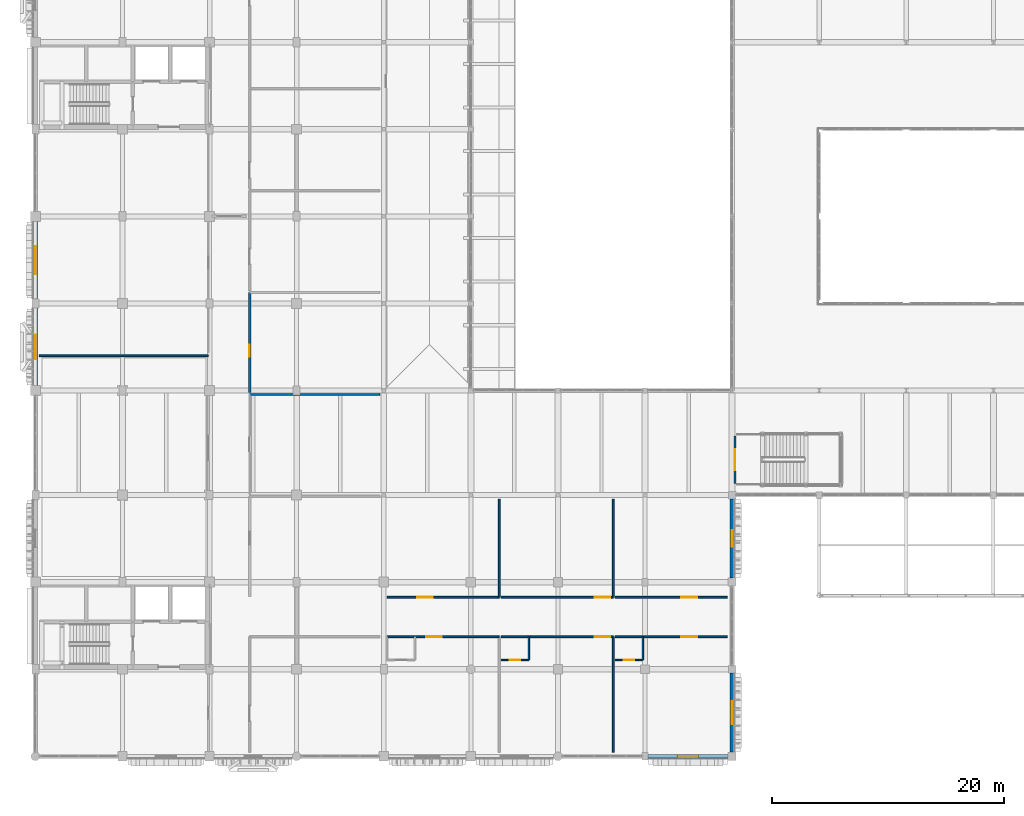
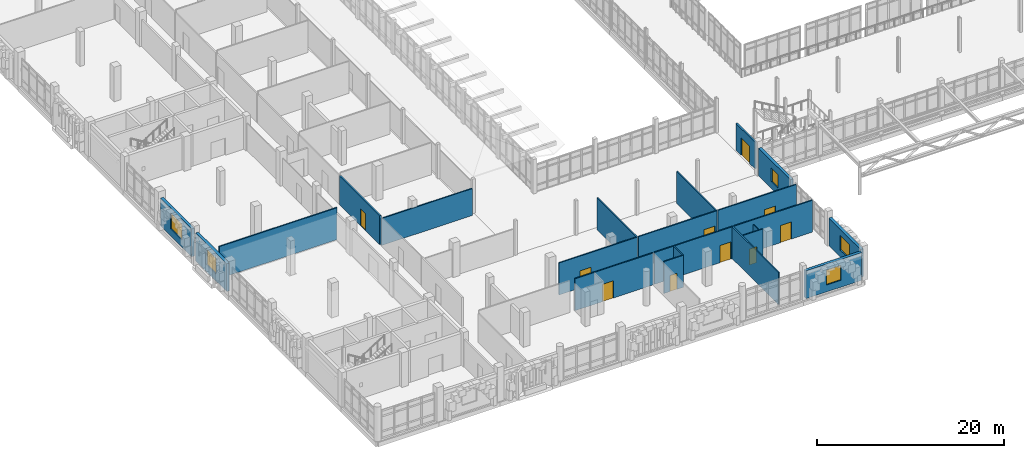
# One storey, part 96 of 128: 22 walls, 10 doors, 5 windows, 15 openings.
"""IFC4 building model written with IfcOpenShell, lengths in metres."""

from ifc_helpers import new_model, si_unit, direction, frame, frame_2d, origin, place, context, subcontext, project, spatial, rectangle, extrude, material, layer, layer_set, type_object, element, fill, save


model = new_model("IFC4")

# Units and contexts
model_context = context("Model", 3, precision=1e-05, world=origin(), true_north=direction((0.0, 1.0)))
body_context = subcontext(model_context, "Body", "Model", "MODEL_VIEW")
ifc_project = project(units=[si_unit("LENGTHUNIT", "METRE"), si_unit("AREAUNIT", "SQUARE_METRE"), si_unit("VOLUMEUNIT", "CUBIC_METRE"), si_unit("PLANEANGLEUNIT", "RADIAN"), si_unit("MASSUNIT", "GRAM", prefix="KILO")], contexts=[model_context])

# Site, building, storey
site_placement = place(None, origin())
site = spatial("IfcSite", under=ifc_project, at=site_placement, CompositionType="ELEMENT")
building_placement = place(site_placement, origin())
building = spatial("IfcBuilding", under=site, at=building_placement, Name="Dalvernix Boulevard General Hospital", CompositionType="ELEMENT")
storey_placement = place(building_placement, frame((0.0, 0.0, 4.800048828125)))
storey = spatial("IfcBuildingStorey", under=building, at=storey_placement, Name="L01", CompositionType="ELEMENT", Elevation=4.800048828125)

# Wall, opening, window
ifc_material_1 = material(Name="Pressed Catalan clay brick and insulated concrete cavity wall C35/45", Category="masonry")
ifc_layer_1 = layer(ifc_material_1, 0.35009765625)
ifc_layer_set_1 = layer_set([ifc_layer_1], Name="Pressed Catalan clay brick and insulated concrete cavity wall C35/45 (WAL-EW-01)")
wall_type_1 = type_object("IfcWallType", Name="WAL-EW-01", PredefinedType="STANDARD", material=ifc_layer_set_1)
wall_1_placement = place(storey_placement, frame((0.0, 31.93505859375, 0.0), z_axis=(0.0, 0.0, 1.0), x_axis=(0.0, 1.0, 0.0)))
wall_1 = element("IfcWall", 1, at=wall_1_placement, inside=storey, type_object=wall_type_1, Name="L01 Catalan brick external wall W 0-4", PredefinedType="STANDARD", context=body_context, shape_type="SweptSolid", body=[
    extrude(rectangle(XDim=6.655029296875, YDim=0.35009765625, at=frame_2d((3.32763671875, 0.0))), origin(), (0.0, 0.0, 1.0), 3.6298828125),
])
opening_1_placement = place(wall_1_placement, frame((2.277587890625, 0.0, 0.89990234375)))
opening_1 = element("IfcOpeningElement", 2, at=opening_1_placement, cuts=wall_1, Name="Opening WN-08", PredefinedType="OPENING", context=body_context, shape_type="SweptSolid", body=[
    extrude(rectangle(XDim=2.10009765625, YDim=2.10009765625, at=frame_2d((1.050048828125, 1.050048828125))), frame((0.0, 0.18505859375, 0.0), z_axis=(0.0, -1.0, 0.0), x_axis=(1.0, 0.0, 0.0)), (0.0, 0.0, 1.0), 0.3701171875),
])
ifc_material_2 = material(Name="Thermally broken aluminium frame with solar-control double glazing", Category="aluminium")
window_type_1 = type_object("IfcWindowType", Name="WIN-WN-08", PartitioningType="SINGLE_PANEL", PredefinedType="WINDOW", material=ifc_material_2)
window_1_placement = place(opening_1_placement, origin())
window_1 = element("IfcWindow", 3, at=window_1_placement, inside=storey, type_object=window_type_1, Name="L01 clinical window WN-08 W 0-4", OverallHeight=2.10009765625, OverallWidth=2.10009765625, PartitioningType="SINGLE_PANEL", PredefinedType="WINDOW", context=body_context, shape_type="SweptSolid", body=[
    extrude(rectangle(XDim=2.10009765625, YDim=2.10009765625, at=frame_2d((1.050048828125, 1.050048828125))), frame((0.0, 0.030029296875, 0.0), z_axis=(0.0, -1.0, 0.0), x_axis=(1.0, 0.0, 0.0)), (0.0, 0.0, 1.0), 0.06005859375),
])
fill(opening_1, window_1)

wall_2_placement = place(storey_placement, frame((0.0, 39.409912109375, 0.0), z_axis=(0.0, 0.0, 1.0), x_axis=(0.0, 1.0, 0.0)))
wall_2 = element("IfcWall", 4, at=wall_2_placement, inside=storey, type_object=wall_type_1, Name="L01 Catalan brick external wall W 0-5", PredefinedType="STANDARD", context=body_context, shape_type="SweptSolid", body=[
    extrude(rectangle(XDim=6.655029296875, YDim=0.35009765625, at=frame_2d((3.32763671875, 0.0))), origin(), (0.0, 0.0, 1.0), 3.6298828125),
])
opening_2_placement = place(wall_2_placement, frame((2.12744140625, 0.0, 0.89990234375)))
opening_2 = element("IfcOpeningElement", 5, at=opening_2_placement, cuts=wall_2, Name="Opening WN-09", PredefinedType="OPENING", context=body_context, shape_type="SweptSolid", body=[
    extrude(rectangle(XDim=2.39990234375, YDim=2.10009765625, at=frame_2d((1.199951171875, 1.050048828125))), frame((0.0, 0.18505859375, 0.0), z_axis=(0.0, -1.0, 0.0), x_axis=(1.0, 0.0, 0.0)), (0.0, 0.0, 1.0), 0.3701171875),
])
window_type_2 = type_object("IfcWindowType", Name="WIN-WN-09", PartitioningType="SINGLE_PANEL", PredefinedType="WINDOW", material=ifc_material_2)
window_2_placement = place(opening_2_placement, origin())
window_2 = element("IfcWindow", 6, at=window_2_placement, inside=storey, type_object=window_type_2, Name="L01 clinical window WN-09 W 0-5", OverallHeight=2.10009765625, OverallWidth=2.39990234375, PartitioningType="SINGLE_PANEL", PredefinedType="WINDOW", context=body_context, shape_type="SweptSolid", body=[
    extrude(rectangle(XDim=2.39990234375, YDim=2.10009765625, at=frame_2d((1.199951171875, 1.050048828125))), frame((0.0, 0.030029296875, 0.0), z_axis=(0.0, -1.0, 0.0), x_axis=(1.0, 0.0, 0.0)), (0.0, 0.0, 1.0), 0.06005859375),
])
fill(opening_2, window_2)

wall_3_placement = place(storey_placement, frame((59.639892578125, 0.0, 0.0), z_axis=(0.0, 0.0, 1.0), x_axis=(-1.0, 0.0, 0.0)))
wall_3 = element("IfcWall", 7, at=wall_3_placement, inside=storey, type_object=wall_type_1, Name="L01 Catalan brick external wall S 7-0", PredefinedType="STANDARD", context=body_context, shape_type="SweptSolid", body=[
    extrude(rectangle(XDim=6.8798828125, YDim=0.35009765625, at=frame_2d((3.43994140625, 0.0))), origin(), (0.0, 0.0, 1.0), 3.6298828125),
])
opening_3_placement = place(wall_3_placement, frame((2.5400390625, 0.0, 0.89990234375)))
opening_3 = element("IfcOpeningElement", 8, at=opening_3_placement, cuts=wall_3, Name="Opening WN-11", PredefinedType="OPENING", context=body_context, shape_type="SweptSolid", body=[
    extrude(rectangle(XDim=1.800048828125, YDim=1.949951171875, at=frame_2d((0.89990234375, 0.97509765625))), frame((0.0, 0.18505859375, 0.0), z_axis=(0.0, -1.0, 0.0), x_axis=(1.0, 0.0, 0.0)), (0.0, 0.0, 1.0), 0.3701171875),
])
window_type_3 = type_object("IfcWindowType", Name="WIN-WN-11", PartitioningType="SINGLE_PANEL", PredefinedType="WINDOW", material=ifc_material_2)
window_3_placement = place(opening_3_placement, origin())
window_3 = element("IfcWindow", 9, at=window_3_placement, inside=storey, type_object=window_type_3, Name="L01 clinical window WN-11 S 7-0", OverallHeight=1.949951171875, OverallWidth=1.800048828125, PartitioningType="SINGLE_PANEL", PredefinedType="WINDOW", context=body_context, shape_type="SweptSolid", body=[
    extrude(rectangle(XDim=1.800048828125, YDim=1.949951171875, at=frame_2d((0.89990234375, 0.97509765625))), frame((0.0, 0.030029296875, 0.0), z_axis=(0.0, -1.0, 0.0), x_axis=(1.0, 0.0, 0.0)), (0.0, 0.0, 1.0), 0.06005859375),
])
fill(opening_3, window_3)

wall_4_placement = place(storey_placement, frame((60.0, 7.1650390625, 0.0), z_axis=(0.0, 0.0, 1.0), x_axis=(0.0, -1.0, 0.0)))
wall_4 = element("IfcWall", 10, at=wall_4_placement, inside=storey, type_object=wall_type_1, Name="L01 Catalan brick external wall E 8-0", PredefinedType="STANDARD", context=body_context, shape_type="SweptSolid", body=[
    extrude(rectangle(XDim=6.804931640625, YDim=0.35009765625, at=frame_2d((3.40234375, 0.0))), origin(), (0.0, 0.0, 1.0), 3.6298828125),
])
opening_4_placement = place(wall_4_placement, frame((2.402587890625, 0.0, 0.89990234375)))
opening_4 = element("IfcOpeningElement", 11, at=opening_4_placement, cuts=wall_4, Name="Opening WN-12", PredefinedType="OPENING", context=body_context, shape_type="SweptSolid", body=[
    extrude(rectangle(XDim=2.0, YDim=1.949951171875, at=frame_2d((1.0, 0.97509765625))), frame((0.0, 0.18505859375, 0.0), z_axis=(0.0, -1.0, 0.0), x_axis=(1.0, 0.0, 0.0)), (0.0, 0.0, 1.0), 0.3701171875),
])
window_type_4 = type_object("IfcWindowType", Name="WIN-WN-12", PartitioningType="SINGLE_PANEL", PredefinedType="WINDOW", material=ifc_material_2)
window_4_placement = place(opening_4_placement, origin())
window_4 = element("IfcWindow", 12, at=window_4_placement, inside=storey, type_object=window_type_4, Name="L01 clinical window WN-12 E 8-0", OverallHeight=1.949951171875, OverallWidth=2.0, PartitioningType="SINGLE_PANEL", PredefinedType="WINDOW", context=body_context, shape_type="SweptSolid", body=[
    extrude(rectangle(XDim=2.0, YDim=1.949951171875, at=frame_2d((1.0, 0.97509765625))), frame((0.0, 0.030029296875, 0.0), z_axis=(0.0, -1.0, 0.0), x_axis=(1.0, 0.0, 0.0)), (0.0, 0.0, 1.0), 0.06005859375),
])
fill(opening_4, window_4)

wall_5_placement = place(storey_placement, frame((60.0, 22.1650390625, 0.0), z_axis=(0.0, 0.0, 1.0), x_axis=(0.0, -1.0, 0.0)))
wall_5 = element("IfcWall", 13, at=wall_5_placement, inside=storey, type_object=wall_type_1, Name="L01 Catalan brick external wall E 8-2", PredefinedType="STANDARD", context=body_context, shape_type="SweptSolid", body=[
    extrude(rectangle(XDim=6.804931640625, YDim=0.35009765625, at=frame_2d((3.40234375, 0.0))), origin(), (0.0, 0.0, 1.0), 3.6298828125),
])
opening_5_placement = place(wall_5_placement, frame((2.702392578125, 0.0, 0.89990234375)))
opening_5 = element("IfcOpeningElement", 14, at=opening_5_placement, cuts=wall_5, Name="Opening WN-14", PredefinedType="OPENING", context=body_context, shape_type="SweptSolid", body=[
    extrude(rectangle(XDim=1.39990234375, YDim=1.800048828125, at=frame_2d((0.699951171875, 0.89990234375))), frame((0.0, 0.18505859375, 0.0), z_axis=(0.0, -1.0, 0.0), x_axis=(1.0, 0.0, 0.0)), (0.0, 0.0, 1.0), 0.3701171875),
])
window_type_5 = type_object("IfcWindowType", Name="WIN-WN-14", PartitioningType="SINGLE_PANEL", PredefinedType="WINDOW", material=ifc_material_2)
window_5_placement = place(opening_5_placement, origin())
window_5 = element("IfcWindow", 15, at=window_5_placement, inside=storey, type_object=window_type_5, Name="L01 clinical window WN-14 E 8-2", OverallHeight=1.800048828125, OverallWidth=1.39990234375, PartitioningType="SINGLE_PANEL", PredefinedType="WINDOW", context=body_context, shape_type="SweptSolid", body=[
    extrude(rectangle(XDim=1.39990234375, YDim=1.800048828125, at=frame_2d((0.699951171875, 0.89990234375))), frame((0.0, 0.030029296875, 0.0), z_axis=(0.0, -1.0, 0.0), x_axis=(1.0, 0.0, 0.0)), (0.0, 0.0, 1.0), 0.06005859375),
])
fill(opening_5, window_5)

# Wall, opening, door
ifc_material_3 = material(Name="Fire-compartment corridor masonry wall", Category="masonry")
ifc_layer_2 = layer(ifc_material_3, 0.199951171875)
ifc_layer_set_2 = layer_set([ifc_layer_2], Name="Fire-compartment corridor masonry wall (WAL-IW-02)")
wall_type_2 = type_object("IfcWallType", Name="WAL-IW-02", PredefinedType="STANDARD", material=ifc_layer_set_2)
wall_6_placement = place(storey_placement, frame((60.25, 23.5, 0.0), z_axis=(0.0, 0.0, 1.0), x_axis=(0.0, 1.0, 0.0)))
wall_6 = element("IfcWall", 16, at=wall_6_placement, inside=storey, type_object=wall_type_2, Name="L01 Stair ST-07 vestibule fire screen", PredefinedType="STANDARD", context=body_context, shape_type="SweptSolid", body=[
    extrude(rectangle(XDim=4.10009765625, YDim=0.199951171875, at=frame_2d((2.050048828125, 0.0))), origin(), (0.0, 0.0, 1.0), 3.46484375),
])
opening_6_placement = place(wall_6_placement, frame((1.14990234375, 0.0, 0.0)))
opening_6 = element("IfcOpeningElement", 17, at=opening_6_placement, cuts=wall_6, Name="Opening FD-01", PredefinedType="OPENING", context=body_context, shape_type="SweptSolid", body=[
    extrude(rectangle(XDim=1.800048828125, YDim=2.25, at=frame_2d((0.89990234375, 1.125))), frame((0.0, 0.10986328125, 0.0), z_axis=(0.0, -1.0, 0.0), x_axis=(1.0, 0.0, 0.0)), (0.0, 0.0, 1.0), 0.219970703125),
])
ifc_material_4 = material(Name="Hospital laminate acoustic timber and steel frame", Category="steel")
door_type_1 = type_object("IfcDoorType", Name="DR-FD-01", OperationType="DOUBLE_DOOR_SINGLE_SWING", PredefinedType="DOOR", material=ifc_material_4)
door_1_placement = place(opening_6_placement, origin())
door_1 = element("IfcDoor", 18, at=door_1_placement, inside=storey, type_object=door_type_1, Name="L01 Stair ST-07 vestibule double fire door", OperationType="DOUBLE_DOOR_SINGLE_SWING", OverallHeight=2.25, OverallWidth=1.800048828125, PredefinedType="DOOR", context=body_context, shape_type="SweptSolid", body=[
    extrude(rectangle(XDim=1.800048828125, YDim=2.25, at=frame_2d((0.89990234375, 1.125))), frame((0.0, 0.02490234375, 0.0), z_axis=(0.0, -1.0, 0.0), x_axis=(1.0, 0.0, 0.0)), (0.0, 0.0, 1.0), 0.050048828125),
])
fill(opening_6, door_1)

wall_7_placement = place(storey_placement, frame((18.449951171875, 39.936767578125, 0.0), z_axis=(0.0, 0.0, 1.0), x_axis=(0.0, -1.0, 0.0)))
wall_7 = element("IfcWall", 19, at=wall_7_placement, inside=storey, type_object=wall_type_2, Name="L01 Patient and Family Day Lounge L01 corridor wall", PredefinedType="STANDARD", context=body_context, shape_type="SweptSolid", body=[
    extrude(rectangle(XDim=8.6123046875, YDim=0.199951171875, at=frame_2d((4.30615234375, 0.0))), origin(), (0.0, 0.0, 1.0), 3.764892578125),
])
opening_7_placement = place(wall_7_placement, frame((4.4873046875, 0.0, 0.0)))
opening_7 = element("IfcOpeningElement", 20, at=opening_7_placement, cuts=wall_7, Name="Opening ID-07", PredefinedType="OPENING", context=body_context, shape_type="SweptSolid", body=[
    extrude(rectangle(XDim=1.050048828125, YDim=2.199951171875, at=frame_2d((0.52490234375, 1.10009765625))), frame((0.0, 0.10986328125, 0.0), z_axis=(0.0, -1.0, 0.0), x_axis=(1.0, 0.0, 0.0)), (0.0, 0.0, 1.0), 0.219970703125),
])
door_type_2 = type_object("IfcDoorType", Name="DR-ID-07", OperationType="NOTDEFINED", PredefinedType="DOOR", material=ifc_material_4)
door_2_placement = place(opening_7_placement, origin())
door_2 = element("IfcDoor", 21, at=door_2_placement, inside=storey, type_object=door_type_2, Name="L01 Patient and Family Day Lounge L01 door", OperationType="SINGLE_SWING_RIGHT", OverallHeight=2.199951171875, OverallWidth=1.050048828125, PredefinedType="DOOR", context=body_context, shape_type="SweptSolid", body=[
    extrude(rectangle(XDim=1.050048828125, YDim=2.199951171875, at=frame_2d((0.52490234375, 1.10009765625))), frame((0.0, 0.02490234375, 0.0), z_axis=(0.0, -1.0, 0.0), x_axis=(1.0, 0.0, 0.0)), (0.0, 0.0, 1.0), 0.050048828125),
])
fill(opening_7, door_2)

ifc_material_5 = material(Name="Acoustic double-stud gypsum inpatient partition")
ifc_layer_3 = layer(ifc_material_5, 0.14990234375)
ifc_layer_set_3 = layer_set([ifc_layer_3], Name="Acoustic double-stud gypsum inpatient partition (WAL-IW-04)")
wall_type_3 = type_object("IfcWallType", Name="WAL-IW-04", PredefinedType="PARTITIONING", material=ifc_layer_set_3)
wall_8_placement = place(storey_placement, frame((39.936767578125, 10.300048828125, 0.0), z_axis=(0.0, 0.0, 1.0), x_axis=(-1.0, 0.0, 0.0)))
wall_8 = element("IfcWall", 22, at=wall_8_placement, inside=storey, type_object=wall_type_3, Name="L01 Inpatient Ward Suite L01-S1 corridor wall", PredefinedType="PARTITIONING", context=body_context, shape_type="SweptSolid", body=[
    extrude(rectangle(XDim=9.65673828125, YDim=0.14990234375, at=frame_2d((4.828369140625, 0.0))), origin(), (0.0, 0.0, 1.0), 4.1650390625),
])
opening_8_placement = place(wall_8_placement, frame((4.93408203125, 0.0, 0.0)))
opening_8 = element("IfcOpeningElement", 23, at=opening_8_placement, cuts=wall_8, Name="Opening ID-01", PredefinedType="OPENING", context=body_context, shape_type="SweptSolid", body=[
    extrude(rectangle(XDim=1.35009765625, YDim=2.25, at=frame_2d((0.675048828125, 1.125))), frame((0.0, 0.0849609375, 0.0), z_axis=(0.0, -1.0, 0.0), x_axis=(1.0, 0.0, 0.0)), (0.0, 0.0, 1.0), 0.169921875),
])
door_type_3 = type_object("IfcDoorType", Name="DR-ID-01", OperationType="NOTDEFINED", PredefinedType="DOOR", material=ifc_material_4)
door_3_placement = place(opening_8_placement, origin())
door_3 = element("IfcDoor", 24, at=door_3_placement, inside=storey, type_object=door_type_3, Name="L01 Inpatient Ward Suite L01-S1 door", OperationType="SINGLE_SWING_LEFT", OverallHeight=2.25, OverallWidth=1.35009765625, PredefinedType="DOOR", context=body_context, shape_type="SweptSolid", body=[
    extrude(rectangle(XDim=1.35009765625, YDim=2.25, at=frame_2d((0.675048828125, 1.125))), frame((0.0, 0.02490234375, 0.0), z_axis=(0.0, -1.0, 0.0), x_axis=(1.0, 0.0, 0.0)), (0.0, 0.0, 1.0), 0.050048828125),
])
fill(opening_8, door_3)

wall_9_placement = place(storey_placement, frame((30.280029296875, 13.699951171875, 0.0), z_axis=(0.0, 0.0, 1.0), x_axis=(1.0, 0.0, 0.0)))
wall_9 = element("IfcWall", 25, at=wall_9_placement, inside=storey, type_object=wall_type_3, Name="L01 Specialty Clinic L01-N1 corridor wall", PredefinedType="PARTITIONING", context=body_context, shape_type="SweptSolid", body=[
    extrude(rectangle(XDim=9.65673828125, YDim=0.14990234375, at=frame_2d((4.828369140625, 0.0))), origin(), (0.0, 0.0, 1.0), 4.1650390625),
])
opening_9_placement = place(wall_9_placement, frame((2.592041015625, 0.0, 0.0)))
opening_9 = element("IfcOpeningElement", 26, at=opening_9_placement, cuts=wall_9, Name="Opening ID-01", PredefinedType="OPENING", context=body_context, shape_type="SweptSolid", body=[
    extrude(rectangle(XDim=1.35009765625, YDim=2.25, at=frame_2d((0.675048828125, 1.125))), frame((0.0, 0.0849609375, 0.0), z_axis=(0.0, -1.0, 0.0), x_axis=(1.0, 0.0, 0.0)), (0.0, 0.0, 1.0), 0.169921875),
])
door_4_placement = place(opening_9_placement, origin())
door_4 = element("IfcDoor", 27, at=door_4_placement, inside=storey, type_object=door_type_3, Name="L01 Specialty Clinic L01-N1 door", OperationType="SINGLE_SWING_LEFT", OverallHeight=2.25, OverallWidth=1.35009765625, PredefinedType="DOOR", context=body_context, shape_type="SweptSolid", body=[
    extrude(rectangle(XDim=1.35009765625, YDim=2.25, at=frame_2d((0.675048828125, 1.125))), frame((0.0, 0.02490234375, 0.0), z_axis=(0.0, -1.0, 0.0), x_axis=(1.0, 0.0, 0.0)), (0.0, 0.0, 1.0), 0.050048828125),
])
fill(opening_9, door_4)

wall_10_placement = place(storey_placement, frame((49.75341796875, 10.300048828125, 0.0), z_axis=(0.0, 0.0, 1.0), x_axis=(-1.0, 0.0, 0.0)))
wall_10 = element("IfcWall", 28, at=wall_10_placement, inside=storey, type_object=wall_type_3, Name="L01 Inpatient Ward Suite L01-S2 corridor wall", PredefinedType="PARTITIONING", context=body_context, shape_type="SweptSolid", body=[
    extrude(rectangle(XDim=9.65673828125, YDim=0.14990234375, at=frame_2d((4.828369140625, 0.0))), origin(), (0.0, 0.0, 1.0), 4.1650390625),
])
opening_10_placement = place(wall_10_placement, frame((0.25, 0.0, 0.0)))
opening_10 = element("IfcOpeningElement", 29, at=opening_10_placement, cuts=wall_10, Name="Opening ID-01", PredefinedType="OPENING", context=body_context, shape_type="SweptSolid", body=[
    extrude(rectangle(XDim=1.35009765625, YDim=2.25, at=frame_2d((0.675048828125, 1.125))), frame((0.0, 0.0849609375, 0.0), z_axis=(0.0, -1.0, 0.0), x_axis=(1.0, 0.0, 0.0)), (0.0, 0.0, 1.0), 0.169921875),
])
door_5_placement = place(opening_10_placement, origin())
door_5 = element("IfcDoor", 30, at=door_5_placement, inside=storey, type_object=door_type_3, Name="L01 Inpatient Ward Suite L01-S2 door", OperationType="SINGLE_SWING_RIGHT", OverallHeight=2.25, OverallWidth=1.35009765625, PredefinedType="DOOR", context=body_context, shape_type="SweptSolid", body=[
    extrude(rectangle(XDim=1.35009765625, YDim=2.25, at=frame_2d((0.675048828125, 1.125))), frame((0.0, 0.02490234375, 0.0), z_axis=(0.0, -1.0, 0.0), x_axis=(1.0, 0.0, 0.0)), (0.0, 0.0, 1.0), 0.050048828125),
])
fill(opening_10, door_5)

wall_11_placement = place(storey_placement, frame((40.0966796875, 13.699951171875, 0.0), z_axis=(0.0, 0.0, 1.0), x_axis=(1.0, 0.0, 0.0)))
wall_11 = element("IfcWall", 31, at=wall_11_placement, inside=storey, type_object=wall_type_3, Name="L01 Specialty Clinic L01-N2 corridor wall", PredefinedType="PARTITIONING", context=body_context, shape_type="SweptSolid", body=[
    extrude(rectangle(XDim=9.65673828125, YDim=0.14990234375, at=frame_2d((4.828369140625, 0.0))), origin(), (0.0, 0.0, 1.0), 4.1650390625),
])
opening_11_placement = place(wall_11_placement, frame((8.056640625, 0.0, 0.0)))
opening_11 = element("IfcOpeningElement", 32, at=opening_11_placement, cuts=wall_11, Name="Opening ID-01", PredefinedType="OPENING", context=body_context, shape_type="SweptSolid", body=[
    extrude(rectangle(XDim=1.35009765625, YDim=2.25, at=frame_2d((0.675048828125, 1.125))), frame((0.0, 0.0849609375, 0.0), z_axis=(0.0, -1.0, 0.0), x_axis=(1.0, 0.0, 0.0)), (0.0, 0.0, 1.0), 0.169921875),
])
door_6_placement = place(opening_11_placement, origin())
door_6 = element("IfcDoor", 33, at=door_6_placement, inside=storey, type_object=door_type_3, Name="L01 Specialty Clinic L01-N2 door", OperationType="SINGLE_SWING_RIGHT", OverallHeight=2.25, OverallWidth=1.35009765625, PredefinedType="DOOR", context=body_context, shape_type="SweptSolid", body=[
    extrude(rectangle(XDim=1.35009765625, YDim=2.25, at=frame_2d((0.675048828125, 1.125))), frame((0.0, 0.02490234375, 0.0), z_axis=(0.0, -1.0, 0.0), x_axis=(1.0, 0.0, 0.0)), (0.0, 0.0, 1.0), 0.050048828125),
])
fill(opening_11, door_6)

wall_12_placement = place(storey_placement, frame((59.570068359375, 10.300048828125, 0.0), z_axis=(0.0, 0.0, 1.0), x_axis=(-1.0, 0.0, 0.0)))
wall_12 = element("IfcWall", 34, at=wall_12_placement, inside=storey, type_object=wall_type_3, Name="L01 Inpatient Ward Suite L01-S3 corridor wall", PredefinedType="PARTITIONING", context=body_context, shape_type="SweptSolid", body=[
    extrude(rectangle(XDim=9.65673828125, YDim=0.14990234375, at=frame_2d((4.828369140625, 0.0))), origin(), (0.0, 0.0, 1.0), 4.1650390625),
])
opening_12_placement = place(wall_12_placement, frame((2.592041015625, 0.0, 0.0)))
opening_12 = element("IfcOpeningElement", 35, at=opening_12_placement, cuts=wall_12, Name="Opening ID-01", PredefinedType="OPENING", context=body_context, shape_type="SweptSolid", body=[
    extrude(rectangle(XDim=1.35009765625, YDim=2.25, at=frame_2d((0.675048828125, 1.125))), frame((0.0, 0.0849609375, 0.0), z_axis=(0.0, -1.0, 0.0), x_axis=(1.0, 0.0, 0.0)), (0.0, 0.0, 1.0), 0.169921875),
])
door_7_placement = place(opening_12_placement, origin())
door_7 = element("IfcDoor", 36, at=door_7_placement, inside=storey, type_object=door_type_3, Name="L01 Inpatient Ward Suite L01-S3 door", OperationType="SINGLE_SWING_LEFT", OverallHeight=2.25, OverallWidth=1.35009765625, PredefinedType="DOOR", context=body_context, shape_type="SweptSolid", body=[
    extrude(rectangle(XDim=1.35009765625, YDim=2.25, at=frame_2d((0.675048828125, 1.125))), frame((0.0, 0.02490234375, 0.0), z_axis=(0.0, -1.0, 0.0), x_axis=(1.0, 0.0, 0.0)), (0.0, 0.0, 1.0), 0.050048828125),
])
fill(opening_12, door_7)

wall_13_placement = place(storey_placement, frame((49.913330078125, 13.699951171875, 0.0), z_axis=(0.0, 0.0, 1.0), x_axis=(1.0, 0.0, 0.0)))
wall_13 = element("IfcWall", 37, at=wall_13_placement, inside=storey, type_object=wall_type_3, Name="L01 Specialty Clinic L01-N3 corridor wall", PredefinedType="PARTITIONING", context=body_context, shape_type="SweptSolid", body=[
    extrude(rectangle(XDim=9.65673828125, YDim=0.14990234375, at=frame_2d((4.828369140625, 0.0))), origin(), (0.0, 0.0, 1.0), 4.1650390625),
])
opening_13_placement = place(wall_13_placement, frame((5.714599609375, 0.0, 0.0)))
opening_13 = element("IfcOpeningElement", 38, at=opening_13_placement, cuts=wall_13, Name="Opening ID-01", PredefinedType="OPENING", context=body_context, shape_type="SweptSolid", body=[
    extrude(rectangle(XDim=1.35009765625, YDim=2.25, at=frame_2d((0.675048828125, 1.125))), frame((0.0, 0.0849609375, 0.0), z_axis=(0.0, -1.0, 0.0), x_axis=(1.0, 0.0, 0.0)), (0.0, 0.0, 1.0), 0.169921875),
])
door_8_placement = place(opening_13_placement, origin())
door_8 = element("IfcDoor", 39, at=door_8_placement, inside=storey, type_object=door_type_3, Name="L01 Specialty Clinic L01-N3 door", OperationType="SINGLE_SWING_LEFT", OverallHeight=2.25, OverallWidth=1.35009765625, PredefinedType="DOOR", context=body_context, shape_type="SweptSolid", body=[
    extrude(rectangle(XDim=1.35009765625, YDim=2.25, at=frame_2d((0.675048828125, 1.125))), frame((0.0, 0.02490234375, 0.0), z_axis=(0.0, -1.0, 0.0), x_axis=(1.0, 0.0, 0.0)), (0.0, 0.0, 1.0), 0.050048828125),
])
fill(opening_13, door_8)

# Walls
wall_14_placement = place(storey_placement, frame((0.35009765625, 34.5, 0.0), z_axis=(0.0, 0.0, 1.0), x_axis=(1.0, 0.0, 0.0)))
element("IfcWall", 40, at=wall_14_placement, inside=storey, type_object=wall_type_3, Name="L01 Medical Lecture Auditorium partition", PredefinedType="PARTITIONING", context=body_context, shape_type="SweptSolid", body=[
    extrude(rectangle(XDim=14.5498046875, YDim=0.14990234375, at=frame_2d((7.27490234375, 0.0))), origin(), (0.0, 0.0, 1.0), 4.1650390625),
])
wall_15_placement = place(storey_placement, frame((18.449951171875, 31.164306640625, 0.0), z_axis=(0.0, 0.0, 1.0), x_axis=(1.0, 0.0, 0.0)))
element("IfcWall", 41, at=wall_15_placement, inside=storey, type_object=wall_type_3, Name="L01 Clinical Treatment and Procedure Room L01 partition", PredefinedType="PARTITIONING", context=body_context, shape_type="SweptSolid", body=[
    extrude(rectangle(XDim=11.199951171875, YDim=0.14990234375, at=frame_2d((5.60009765625, 0.0))), origin(), (0.0, 0.0, 1.0), 3.514892578125),
])
wall_16_placement = place(storey_placement, frame((39.936767578125, 13.699951171875, 0.0), z_axis=(0.0, 0.0, 1.0), x_axis=(0.0, 1.0, 0.0)))
element("IfcWall", 42, at=wall_16_placement, inside=storey, type_object=wall_type_3, Name="L01 Specialty Clinic L01-N1 partition", PredefinedType="PARTITIONING", context=body_context, shape_type="SweptSolid", body=[
    extrude(rectangle(XDim=8.449951171875, YDim=0.14990234375, at=frame_2d((4.22509765625, 0.0))), origin(), (0.0, 0.0, 1.0), 4.1650390625),
])
wall_17_placement = place(storey_placement, frame((49.75341796875, 0.35009765625, 0.0), z_axis=(0.0, 0.0, 1.0), x_axis=(0.0, 1.0, 0.0)))
element("IfcWall", 43, at=wall_17_placement, inside=storey, type_object=wall_type_3, Name="L01 Inpatient Ward Suite L01-S2 partition", PredefinedType="PARTITIONING", context=body_context, shape_type="SweptSolid", body=[
    extrude(rectangle(XDim=9.949951171875, YDim=0.14990234375, at=frame_2d((4.97509765625, 0.0))), origin(), (0.0, 0.0, 1.0), 4.1650390625),
])
wall_18_placement = place(storey_placement, frame((49.75341796875, 13.699951171875, 0.0), z_axis=(0.0, 0.0, 1.0), x_axis=(0.0, 1.0, 0.0)))
element("IfcWall", 44, at=wall_18_placement, inside=storey, type_object=wall_type_3, Name="L01 Specialty Clinic L01-N2 partition", PredefinedType="PARTITIONING", context=body_context, shape_type="SweptSolid", body=[
    extrude(rectangle(XDim=8.449951171875, YDim=0.14990234375, at=frame_2d((4.22509765625, 0.0))), origin(), (0.0, 0.0, 1.0), 4.1650390625),
])

# Wall, opening, door
ifc_material_6 = material(Name="Moisture-resistant en-suite bathroom partition")
ifc_layer_4 = layer(ifc_material_6, 0.1201171875)
ifc_layer_set_4 = layer_set([ifc_layer_4], Name="Moisture-resistant en-suite bathroom partition (WAL-IW-05)")
wall_type_4 = type_object("IfcWallType", Name="WAL-IW-05", PredefinedType="PARTITIONING", material=ifc_layer_set_4)
wall_19_placement = place(storey_placement, frame((40.0966796875, 8.300048828125, 0.0), z_axis=(0.0, 0.0, 1.0), x_axis=(1.0, 0.0, 0.0)))
wall_19 = element("IfcWall", 45, at=wall_19_placement, inside=storey, type_object=wall_type_4, Name="L01 en-suite bathroom door wall", PredefinedType="PARTITIONING", context=body_context, shape_type="SweptSolid", body=[
    extrude(rectangle(XDim=2.39990234375, YDim=0.1201171875, at=frame_2d((1.199951171875, 0.0))), origin(), (0.0, 0.0, 1.0), 4.1650390625),
])
opening_14_placement = place(wall_19_placement, frame((0.75, 0.0, 0.0)))
opening_14 = element("IfcOpeningElement", 46, at=opening_14_placement, cuts=wall_19, Name="Opening ID-05", PredefinedType="OPENING", context=body_context, shape_type="SweptSolid", body=[
    extrude(rectangle(XDim=0.89990234375, YDim=2.10009765625, at=frame_2d((0.449951171875, 1.050048828125))), frame((0.0, 0.070068359375, 0.0), z_axis=(0.0, -1.0, 0.0), x_axis=(1.0, 0.0, 0.0)), (0.0, 0.0, 1.0), 0.14013671875),
])
door_type_4 = type_object("IfcDoorType", Name="DR-ID-05", OperationType="NOTDEFINED", PredefinedType="DOOR", material=ifc_material_4)
door_9_placement = place(opening_14_placement, origin())
door_9 = element("IfcDoor", 47, at=door_9_placement, inside=storey, type_object=door_type_4, Name="L01 L01-SW-S2 en-suite bathroom door", OperationType="SINGLE_SWING_LEFT", OverallHeight=2.10009765625, OverallWidth=0.89990234375, PredefinedType="DOOR", context=body_context, shape_type="SweptSolid", body=[
    extrude(rectangle(XDim=0.89990234375, YDim=2.10009765625, at=frame_2d((0.449951171875, 1.050048828125))), frame((0.0, 0.02490234375, 0.0), z_axis=(0.0, -1.0, 0.0), x_axis=(1.0, 0.0, 0.0)), (0.0, 0.0, 1.0), 0.050048828125),
])
fill(opening_14, door_9)

# Wall
wall_20_placement = place(storey_placement, frame((42.49658203125, 8.300048828125, 0.0), z_axis=(0.0, 0.0, 1.0), x_axis=(0.0, 1.0, 0.0)))
element("IfcWall", 48, at=wall_20_placement, inside=storey, type_object=wall_type_4, Name="L01 en-suite bathroom side wall", PredefinedType="PARTITIONING", context=body_context, shape_type="SweptSolid", body=[
    extrude(rectangle(XDim=2.0, YDim=0.1201171875, at=frame_2d((1.0, 0.0))), origin(), (0.0, 0.0, 1.0), 4.1650390625),
])

# Wall, opening, door
wall_21_placement = place(storey_placement, frame((49.913330078125, 8.300048828125, 0.0), z_axis=(0.0, 0.0, 1.0), x_axis=(1.0, 0.0, 0.0)))
wall_21 = element("IfcWall", 49, at=wall_21_placement, inside=storey, type_object=wall_type_4, Name="L01 en-suite bathroom door wall", PredefinedType="PARTITIONING", context=body_context, shape_type="SweptSolid", body=[
    extrude(rectangle(XDim=2.39990234375, YDim=0.1201171875, at=frame_2d((1.199951171875, 0.0))), origin(), (0.0, 0.0, 1.0), 4.1650390625),
])
opening_15_placement = place(wall_21_placement, frame((0.75, 0.0, 0.0)))
opening_15 = element("IfcOpeningElement", 50, at=opening_15_placement, cuts=wall_21, Name="Opening ID-05", PredefinedType="OPENING", context=body_context, shape_type="SweptSolid", body=[
    extrude(rectangle(XDim=0.89990234375, YDim=2.10009765625, at=frame_2d((0.449951171875, 1.050048828125))), frame((0.0, 0.070068359375, 0.0), z_axis=(0.0, -1.0, 0.0), x_axis=(1.0, 0.0, 0.0)), (0.0, 0.0, 1.0), 0.14013671875),
])
door_10_placement = place(opening_15_placement, origin())
door_10 = element("IfcDoor", 51, at=door_10_placement, inside=storey, type_object=door_type_4, Name="L01 L01-SW-S3 en-suite bathroom door", OperationType="SINGLE_SWING_RIGHT", OverallHeight=2.10009765625, OverallWidth=0.89990234375, PredefinedType="DOOR", context=body_context, shape_type="SweptSolid", body=[
    extrude(rectangle(XDim=0.89990234375, YDim=2.10009765625, at=frame_2d((0.449951171875, 1.050048828125))), frame((0.0, 0.02490234375, 0.0), z_axis=(0.0, -1.0, 0.0), x_axis=(1.0, 0.0, 0.0)), (0.0, 0.0, 1.0), 0.050048828125),
])
fill(opening_15, door_10)

# Wall
wall_22_placement = place(storey_placement, frame((52.313232421875, 8.300048828125, 0.0), z_axis=(0.0, 0.0, 1.0), x_axis=(0.0, 1.0, 0.0)))
element("IfcWall", 52, at=wall_22_placement, inside=storey, type_object=wall_type_4, Name="L01 en-suite bathroom side wall", PredefinedType="PARTITIONING", context=body_context, shape_type="SweptSolid", body=[
    extrude(rectangle(XDim=2.0, YDim=0.1201171875, at=frame_2d((1.0, 0.0))), origin(), (0.0, 0.0, 1.0), 3.56494140625),
])

save(model, "model.ifc")
